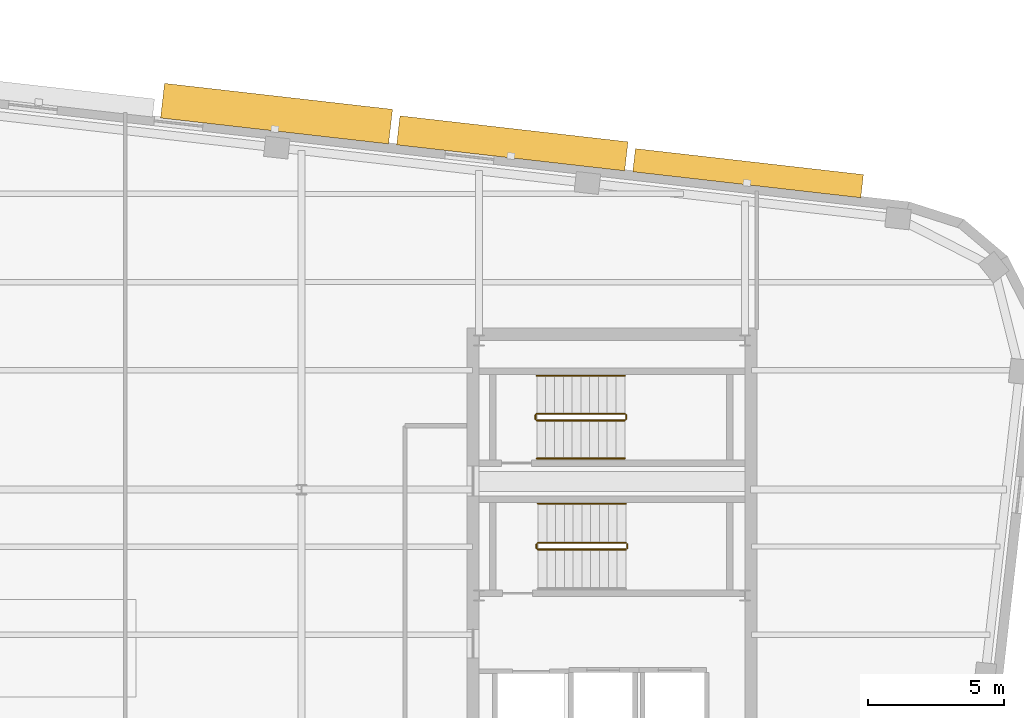
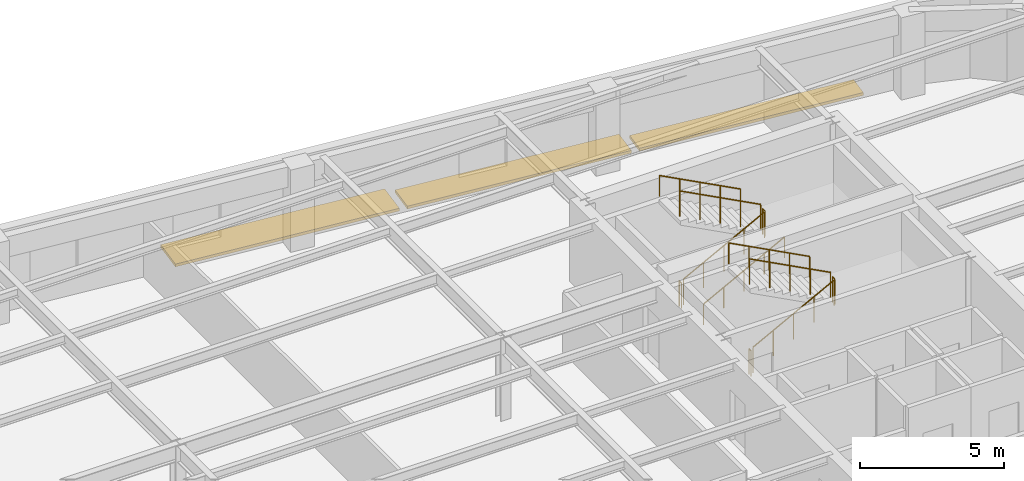
# One storey, part 13 of 13: 11 railings, 3 shading devices.
"""IFC4 building model written with IfcOpenShell, lengths in metres."""

from ifc_helpers import new_model, si_unit, direction, frame, origin, origin_2d, place, context, subcontext, project, spatial, rectangle, circle, extrude, material, type_object, element, save


model = new_model("IFC4")

# Units and contexts
model_context = context("Model", 3, precision=1e-05, world=origin(), true_north=direction((0.0, 1.0)))
body_context = subcontext(model_context, "Body", "Model", "MODEL_VIEW")
ifc_project = project(units=[si_unit("LENGTHUNIT", "METRE"), si_unit("AREAUNIT", "SQUARE_METRE"), si_unit("VOLUMEUNIT", "CUBIC_METRE"), si_unit("PLANEANGLEUNIT", "RADIAN"), si_unit("MASSUNIT", "GRAM", prefix="KILO")], contexts=[model_context])

# Site, building, storey
site_placement = place(None, origin())
site = spatial("IfcSite", under=ifc_project, at=site_placement, CompositionType="ELEMENT")
building_placement = place(site_placement, origin())
building = spatial("IfcBuilding", under=site, at=building_placement, Name="Kolvaren Arena Tower", CompositionType="ELEMENT")
storey_placement = place(building_placement, frame((0.0, 0.0, 262.199951171875)))
storey = spatial("IfcBuildingStorey", under=building, at=storey_placement, Name="L64", CompositionType="ELEMENT", Elevation=262.199951171875)

# Railings
ifc_material_1 = material(Name="Painted galvanized steel", Category="steel")
railing_type_1 = type_object("IfcRailingType", Name="GUARD-ST-110", PredefinedType="GUARDRAIL", material=ifc_material_1)
railing_1_placement = place(storey_placement, frame((52.719970703125, 31.639892578125, 0.17041015625)))
element("IfcRailing", 1, at=railing_1_placement, inside=storey, type_object=railing_type_1, Name="L64 ST-E1 stair guard 1", PredefinedType="GUARDRAIL", context=body_context, shape_type="SweptSolid", body=[
    extrude(circle(Radius=0.02392578125, at=origin_2d()), frame((0.0, 0.0, 1.076171875), z_axis=(0.884993431791, 0.0, 0.465603506952), x_axis=(0.0, 1.0, 0.0)), (0.0, 0.0, 1.0), 3.6611328125),
    extrude(circle(Radius=0.02099609375, at=origin_2d()), origin(), (0.0, 0.0, 1.0), 1.052001953125),
    extrude(circle(Radius=0.02099609375, at=origin_2d()), frame((0.81005859375, 0.0, 0.42626953125)), (0.0, 0.0, 1.0), 1.052001953125),
    extrude(circle(Radius=0.02099609375, at=origin_2d()), frame((1.6201171875, 0.0, 0.852294921875)), (0.0, 0.0, 1.0), 1.052001953125),
    extrude(circle(Radius=0.02099609375, at=origin_2d()), frame((2.429931640625, 0.0, 1.2783203125)), (0.0, 0.0, 1.0), 1.052001953125),
    extrude(circle(Radius=0.02099609375, at=origin_2d()), frame((3.239990234375, 0.0, 1.70458984375)), (0.0, 0.0, 1.0), 1.052001953125),
])
railing_2_placement = place(storey_placement, frame((56.010009765625, 31.68994140625, 1.875)))
element("IfcRailing", 2, at=railing_2_placement, inside=storey, type_object=railing_type_1, Name="L64 ST-E1 stair guard 2", PredefinedType="GUARDRAIL", context=body_context, shape_type="SweptSolid", body=[
    extrude(circle(Radius=0.02392578125, at=origin_2d()), frame((0.0, 0.0, 1.076171875), z_axis=(0.0, 1.0, 0.0), x_axis=(-1.0, 0.0, 0.0)), (0.0, 0.0, 1.0), 0.150146484375),
    extrude(circle(Radius=0.02099609375, at=origin_2d()), origin(), (0.0, 0.0, 1.0), 1.052001953125),
    extrude(circle(Radius=0.02099609375, at=origin_2d()), frame((0.0, 0.150146484375, 0.0)), (0.0, 0.0, 1.0), 1.052001953125),
])
railing_3_placement = place(storey_placement, frame((55.9599609375, 31.889892578125, 2.04541015625)))
element("IfcRailing", 3, at=railing_3_placement, inside=storey, type_object=railing_type_1, Name="L64 ST-E1 stair guard 3", PredefinedType="GUARDRAIL", context=body_context, shape_type="SweptSolid", body=[
    extrude(circle(Radius=0.02392578125, at=origin_2d()), frame((0.0, 0.0, 1.076171875), z_axis=(-0.884993431791, 0.0, 0.465603506952), x_axis=(0.0, -1.0, 0.0)), (0.0, 0.0, 1.0), 3.6611328125),
    extrude(circle(Radius=0.02099609375, at=origin_2d()), origin(), (0.0, 0.0, 1.0), 1.052001953125),
    extrude(circle(Radius=0.02099609375, at=origin_2d()), frame((-0.81005859375, 0.0, 0.42626953125)), (0.0, 0.0, 1.0), 1.052001953125),
    extrude(circle(Radius=0.02099609375, at=origin_2d()), frame((-1.6201171875, 0.0, 0.852294921875)), (0.0, 0.0, 1.0), 1.052001953125),
    extrude(circle(Radius=0.02099609375, at=origin_2d()), frame((-2.429931640625, 0.0, 1.2783203125)), (0.0, 0.0, 1.0), 1.052001953125),
    extrude(circle(Radius=0.02099609375, at=origin_2d()), frame((-3.239990234375, 0.0, 1.70458984375)), (0.0, 0.0, 1.0), 1.052001953125),
])
railing_4_placement = place(storey_placement, frame((52.669921875, 31.68994140625, 0.0)))
element("IfcRailing", 4, at=railing_4_placement, inside=storey, type_object=railing_type_1, Name="L64 ST-E1 stair guard 4", PredefinedType="GUARDRAIL", context=body_context, shape_type="SweptSolid", body=[
    extrude(circle(Radius=0.02392578125, at=origin_2d()), frame((0.0, 0.0, 1.076171875), z_axis=(0.0, 1.0, 0.0), x_axis=(-1.0, 0.0, 0.0)), (0.0, 0.0, 1.0), 0.150146484375),
    extrude(circle(Radius=0.02099609375, at=origin_2d()), origin(), (0.0, 0.0, 1.0), 1.052001953125),
    extrude(circle(Radius=0.02099609375, at=origin_2d()), frame((0.0, 0.150146484375, 0.0)), (0.0, 0.0, 1.0), 1.052001953125),
])
railing_5_placement = place(storey_placement, frame((52.679931640625, 36.39990234375, 0.17041015625)))
element("IfcRailing", 5, at=railing_5_placement, inside=storey, type_object=railing_type_1, Name="L64 ST-E2 stair guard 1", PredefinedType="GUARDRAIL", context=body_context, shape_type="SweptSolid", body=[
    extrude(circle(Radius=0.02392578125, at=origin_2d()), frame((0.0, 0.0, 1.076171875), z_axis=(0.884993431791, 0.0, 0.465603506952), x_axis=(0.0, 1.0, 0.0)), (0.0, 0.0, 1.0), 3.6611328125),
    extrude(circle(Radius=0.02099609375, at=origin_2d()), origin(), (0.0, 0.0, 1.0), 1.052001953125),
    extrude(circle(Radius=0.02099609375, at=origin_2d()), frame((0.81005859375, 0.0, 0.42626953125)), (0.0, 0.0, 1.0), 1.052001953125),
    extrude(circle(Radius=0.02099609375, at=origin_2d()), frame((1.6201171875, 0.0, 0.852294921875)), (0.0, 0.0, 1.0), 1.052001953125),
    extrude(circle(Radius=0.02099609375, at=origin_2d()), frame((2.429931640625, 0.0, 1.2783203125)), (0.0, 0.0, 1.0), 1.052001953125),
    extrude(circle(Radius=0.02099609375, at=origin_2d()), frame((3.239990234375, 0.0, 1.70458984375)), (0.0, 0.0, 1.0), 1.052001953125),
])
railing_6_placement = place(storey_placement, frame((55.969970703125, 36.449951171875, 1.875)))
element("IfcRailing", 6, at=railing_6_placement, inside=storey, type_object=railing_type_1, Name="L64 ST-E2 stair guard 2", PredefinedType="GUARDRAIL", context=body_context, shape_type="SweptSolid", body=[
    extrude(circle(Radius=0.02392578125, at=origin_2d()), frame((0.0, 0.0, 1.076171875), z_axis=(0.0, 1.0, 0.0), x_axis=(-1.0, 0.0, 0.0)), (0.0, 0.0, 1.0), 0.150146484375),
    extrude(circle(Radius=0.02099609375, at=origin_2d()), origin(), (0.0, 0.0, 1.0), 1.052001953125),
    extrude(circle(Radius=0.02099609375, at=origin_2d()), frame((0.0, 0.150146484375, 0.0)), (0.0, 0.0, 1.0), 1.052001953125),
])
railing_7_placement = place(storey_placement, frame((55.919921875, 36.64990234375, 2.04541015625)))
element("IfcRailing", 7, at=railing_7_placement, inside=storey, type_object=railing_type_1, Name="L64 ST-E2 stair guard 3", PredefinedType="GUARDRAIL", context=body_context, shape_type="SweptSolid", body=[
    extrude(circle(Radius=0.02392578125, at=origin_2d()), frame((0.0, 0.0, 1.076171875), z_axis=(-0.884993431791, 0.0, 0.465603506952), x_axis=(0.0, -1.0, 0.0)), (0.0, 0.0, 1.0), 3.6611328125),
    extrude(circle(Radius=0.02099609375, at=origin_2d()), origin(), (0.0, 0.0, 1.0), 1.052001953125),
    extrude(circle(Radius=0.02099609375, at=origin_2d()), frame((-0.81005859375, 0.0, 0.42626953125)), (0.0, 0.0, 1.0), 1.052001953125),
    extrude(circle(Radius=0.02099609375, at=origin_2d()), frame((-1.6201171875, 0.0, 0.852294921875)), (0.0, 0.0, 1.0), 1.052001953125),
    extrude(circle(Radius=0.02099609375, at=origin_2d()), frame((-2.429931640625, 0.0, 1.2783203125)), (0.0, 0.0, 1.0), 1.052001953125),
    extrude(circle(Radius=0.02099609375, at=origin_2d()), frame((-3.239990234375, 0.0, 1.70458984375)), (0.0, 0.0, 1.0), 1.052001953125),
])
railing_8_placement = place(storey_placement, frame((52.6298828125, 36.449951171875, 0.0)))
element("IfcRailing", 8, at=railing_8_placement, inside=storey, type_object=railing_type_1, Name="L64 ST-E2 stair guard 4", PredefinedType="GUARDRAIL", context=body_context, shape_type="SweptSolid", body=[
    extrude(circle(Radius=0.02392578125, at=origin_2d()), frame((0.0, 0.0, 1.076171875), z_axis=(0.0, 1.0, 0.0), x_axis=(-1.0, 0.0, 0.0)), (0.0, 0.0, 1.0), 0.150146484375),
    extrude(circle(Radius=0.02099609375, at=origin_2d()), origin(), (0.0, 0.0, 1.0), 1.052001953125),
    extrude(circle(Radius=0.02099609375, at=origin_2d()), frame((0.0, 0.150146484375, 0.0)), (0.0, 0.0, 1.0), 1.052001953125),
])
ifc_material_2 = material(Name="Brushed stainless steel handrail", Category="steel")
railing_type_2 = type_object("IfcRailingType", Name="HRAIL-900", PredefinedType="HANDRAIL", material=ifc_material_2)
railing_9_placement = place(storey_placement, frame((55.9599609375, 33.330078125, 2.04541015625)))
element("IfcRailing", 9, at=railing_9_placement, inside=storey, type_object=railing_type_2, Name="L64 ST-E1 stair handrail 2", PredefinedType="HANDRAIL", context=body_context, shape_type="SweptSolid", body=[
    extrude(circle(Radius=0.02392578125, at=origin_2d()), frame((0.0, 0.0, 0.8759765625), z_axis=(-0.884993431791, 0.0, 0.465603506952), x_axis=(0.0, -1.0, 0.0)), (0.0, 0.0, 1.0), 3.6611328125),
    extrude(circle(Radius=0.02099609375, at=origin_2d()), origin(), (0.0, 0.0, 1.0), 0.851806640625),
    extrude(circle(Radius=0.02099609375, at=origin_2d()), frame((-0.81005859375, 0.0, 0.42626953125)), (0.0, 0.0, 1.0), 0.851806640625),
    extrude(circle(Radius=0.02099609375, at=origin_2d()), frame((-1.6201171875, 0.0, 0.852294921875)), (0.0, 0.0, 1.0), 0.851806640625),
    extrude(circle(Radius=0.02099609375, at=origin_2d()), frame((-2.429931640625, 0.0, 1.2783203125)), (0.0, 0.0, 1.0), 0.851806640625),
    extrude(circle(Radius=0.02099609375, at=origin_2d()), frame((-3.239990234375, 0.0, 1.70458984375)), (0.0, 0.0, 1.0), 0.851806640625),
])
railing_10_placement = place(storey_placement, frame((52.679931640625, 35.0, 0.17041015625)))
element("IfcRailing", 10, at=railing_10_placement, inside=storey, type_object=railing_type_2, Name="L64 ST-E2 stair handrail 1", PredefinedType="HANDRAIL", context=body_context, shape_type="SweptSolid", body=[
    extrude(circle(Radius=0.02392578125, at=origin_2d()), frame((0.0, 0.0, 0.8759765625), z_axis=(0.884993431791, 0.0, 0.465603506952), x_axis=(0.0, 1.0, 0.0)), (0.0, 0.0, 1.0), 3.6611328125),
    extrude(circle(Radius=0.02099609375, at=origin_2d()), origin(), (0.0, 0.0, 1.0), 0.851806640625),
    extrude(circle(Radius=0.02099609375, at=origin_2d()), frame((0.81005859375, 0.0, 0.42626953125)), (0.0, 0.0, 1.0), 0.851806640625),
    extrude(circle(Radius=0.02099609375, at=origin_2d()), frame((1.6201171875, 0.0, 0.852294921875)), (0.0, 0.0, 1.0), 0.851806640625),
    extrude(circle(Radius=0.02099609375, at=origin_2d()), frame((2.429931640625, 0.0, 1.2783203125)), (0.0, 0.0, 1.0), 0.851806640625),
    extrude(circle(Radius=0.02099609375, at=origin_2d()), frame((3.239990234375, 0.0, 1.70458984375)), (0.0, 0.0, 1.0), 0.851806640625),
])
railing_11_placement = place(storey_placement, frame((55.919921875, 38.050048828125, 2.04541015625)))
element("IfcRailing", 11, at=railing_11_placement, inside=storey, type_object=railing_type_2, Name="L64 ST-E2 stair handrail 2", PredefinedType="HANDRAIL", context=body_context, shape_type="SweptSolid", body=[
    extrude(circle(Radius=0.02392578125, at=origin_2d()), frame((0.0, 0.0, 0.8759765625), z_axis=(-0.884993431791, 0.0, 0.465603506952), x_axis=(0.0, -1.0, 0.0)), (0.0, 0.0, 1.0), 3.6611328125),
    extrude(circle(Radius=0.02099609375, at=origin_2d()), origin(), (0.0, 0.0, 1.0), 0.851806640625),
    extrude(circle(Radius=0.02099609375, at=origin_2d()), frame((-0.81005859375, 0.0, 0.42626953125)), (0.0, 0.0, 1.0), 0.851806640625),
    extrude(circle(Radius=0.02099609375, at=origin_2d()), frame((-1.6201171875, 0.0, 0.852294921875)), (0.0, 0.0, 1.0), 0.851806640625),
    extrude(circle(Radius=0.02099609375, at=origin_2d()), frame((-2.429931640625, 0.0, 1.2783203125)), (0.0, 0.0, 1.0), 0.851806640625),
    extrude(circle(Radius=0.02099609375, at=origin_2d()), frame((-3.239990234375, 0.0, 1.70458984375)), (0.0, 0.0, 1.0), 0.851806640625),
])

# Shading devices
ifc_material_3 = material(Name="Architectural precast GFRC and anodised aluminium sunshade", Category="concrete")
shading_device_type_1 = type_object("IfcShadingDeviceType", Name="SHAD-SINE-A", PredefinedType="USERDEFINED", material=ifc_material_3)
shading_device_1_placement = place(storey_placement, frame((51.77392578125, 46.615478515625, -0.139892578125), z_axis=(0.0, 0.0, 1.0), x_axis=(0.993571658098, -0.113204947878, 0.0)))
element("IfcShadingDevice", 12, at=shading_device_1_placement, inside=storey, type_object=shading_device_type_1, Name="Sinusoidal Slab-Edge Sunshade Louvre (L64)", ObjectType="LOUVRE", PredefinedType="USERDEFINED", context=body_context, shape_type="SweptSolid", body=[
    extrude(rectangle(XDim=8.4599609375, YDim=1.077880859375, at=origin_2d()), origin(), (0.0, 0.0, 1.0), 0.1201171875),
])
shading_device_2_placement = place(storey_placement, frame((60.46533203125, 45.51513671875, -0.139892578125), z_axis=(0.0, 0.0, 1.0), x_axis=(0.993571658098, -0.113204947878, 0.0)))
element("IfcShadingDevice", 13, at=shading_device_2_placement, inside=storey, type_object=shading_device_type_1, Name="Sinusoidal Slab-Edge Sunshade Louvre (L64)", ObjectType="LOUVRE", PredefinedType="USERDEFINED", context=body_context, shape_type="SweptSolid", body=[
    extrude(rectangle(XDim=8.4599609375, YDim=0.859130859375, at=origin_2d()), origin(), (0.0, 0.0, 1.0), 0.1201171875),
])
shading_device_type_2 = type_object("IfcShadingDeviceType", Name="SHAD-SINE-B", PredefinedType="JALOUSIE", material=ifc_material_3)
shading_device_3_placement = place(storey_placement, frame((43.08203125, 47.710205078125, -0.139892578125), z_axis=(0.0, 0.0, 1.0), x_axis=(0.993571658098, -0.113204947878, 0.0)))
element("IfcShadingDevice", 14, at=shading_device_3_placement, inside=storey, type_object=shading_device_type_2, Name="Sinusoidal Slab-Edge Sunshade Louvre (L64)", PredefinedType="JALOUSIE", context=body_context, shape_type="SweptSolid", body=[
    extrude(rectangle(XDim=8.4599609375, YDim=1.285400390625, at=origin_2d()), origin(), (0.0, 0.0, 1.0), 0.1201171875),
])

save(model, "model.ifc")
